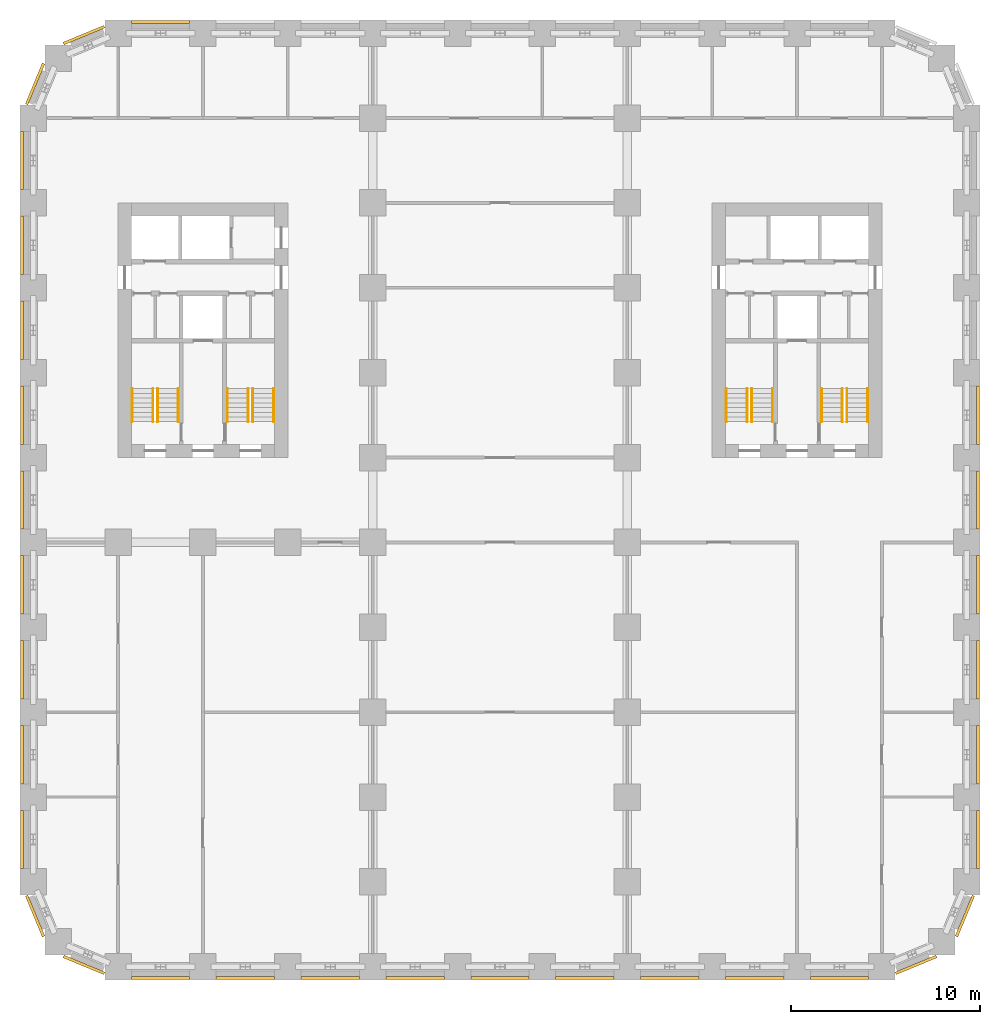
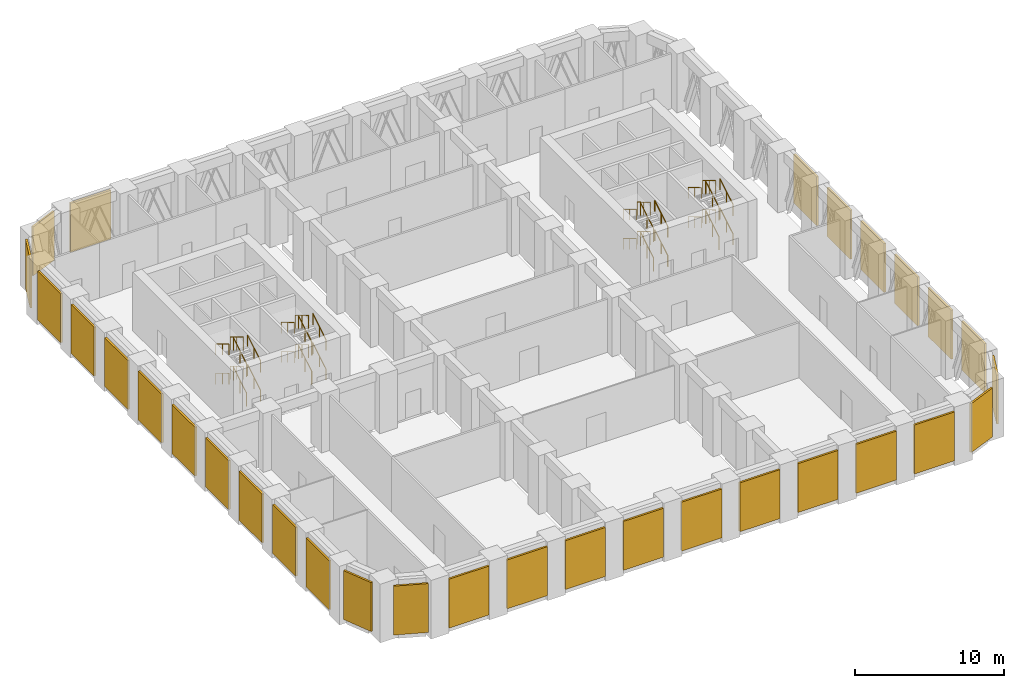
# One storey, part 8 of 9: 32 railings, 31 shading devices.
"""IFC4 building model written with IfcOpenShell, lengths in metres."""

from ifc_helpers import new_model, si_unit, direction, frame, origin, origin_2d, place, context, subcontext, project, spatial, rectangle, circle, extrude, material, type_object, element, save


model = new_model("IFC4")

# Units and contexts
model_context = context("Model", 3, precision=1e-05, world=origin(), true_north=direction((0.0, 1.0)))
body_context = subcontext(model_context, "Body", "Model", "MODEL_VIEW")
ifc_project = project(units=[si_unit("LENGTHUNIT", "METRE"), si_unit("AREAUNIT", "SQUARE_METRE"), si_unit("VOLUMEUNIT", "CUBIC_METRE"), si_unit("PLANEANGLEUNIT", "RADIAN"), si_unit("MASSUNIT", "GRAM", prefix="KILO")], contexts=[model_context])

# Site, building, storey
site_placement = place(None, origin())
site = spatial("IfcSite", under=ifc_project, at=site_placement, CompositionType="ELEMENT")
building_placement = place(site_placement, origin())
building = spatial("IfcBuilding", under=site, at=building_placement, Name="Girih Gate Residences", CompositionType="ELEMENT")
storey_placement = place(building_placement, frame((0.0, 0.0, 75.199951171875)))
storey = spatial("IfcBuildingStorey", under=building, at=storey_placement, Name="L20", CompositionType="ELEMENT", Elevation=75.199951171875)

# Shading devices
ifc_material_1 = material(Name="Aluminium louvre", Category="aluminium")
shading_device_type = type_object("IfcShadingDeviceType", Name="Plant louvre band", PredefinedType="USERDEFINED", material=ifc_material_1)
for number, where, z_axis, x_axis, name in (
    (1, (0.1005859375, 2.689453125, 0.400146484375), (0.0, 0.0, 1.0), (0.382683432365, -0.923879532511, 0.0), "Plant louvre SW0000_0045.0"),
    (2, (2.689208984375, 0.1005859375, 0.400146484375), (0.0, 0.0, 1.0), (0.923879532511, -0.382683432365, 0.0), "Plant louvre SW0013_0013.0"),
):
    element("IfcShadingDevice", number, at=place(storey_placement, frame(where, z_axis=z_axis, x_axis=x_axis)), inside=storey, type_object=shading_device_type, Name=name, ObjectType="LOUVRE", PredefinedType="USERDEFINED", context=body_context, shape_type="SweptSolid", body=[
        extrude(rectangle(XDim=2.34228515625, YDim=0.14990234375, at=origin_2d()), origin(), (0.0, 0.0, 1.0), 4.0),
    ])
for number, where, z_axis, x_axis, name in (
    (3, (6.75, -0.60009765625, 0.400146484375), (0.0, 0.0, 1.0), (1.0, 0.0, 0.0), "Plant louvre S0045_0000.0"),
    (4, (11.25, -0.60009765625, 0.400146484375), (0.0, 0.0, 1.0), (1.0, 0.0, 0.0), "Plant louvre S0045_0000.1"),
    (5, (15.75, -0.60009765625, 0.400146484375), (0.0, 0.0, 1.0), (1.0, 0.0, 0.0), "Plant louvre S0045_0000.2"),
    (6, (20.25, -0.60009765625, 0.400146484375), (0.0, 0.0, 1.0), (1.0, 0.0, 0.0), "Plant louvre S0045_0000.3"),
    (7, (24.75, -0.60009765625, 0.400146484375), (0.0, 0.0, 1.0), (1.0, 0.0, 0.0), "Plant louvre S0045_0000.4"),
    (8, (29.25, -0.60009765625, 0.400146484375), (0.0, 0.0, 1.0), (1.0, 0.0, 0.0), "Plant louvre S0045_0000.5"),
    (9, (33.75, -0.60009765625, 0.400146484375), (0.0, 0.0, 1.0), (1.0, 0.0, 0.0), "Plant louvre S0045_0000.6"),
    (10, (38.25, -0.60009765625, 0.400146484375), (0.0, 0.0, 1.0), (1.0, 0.0, 0.0), "Plant louvre S0045_0000.7"),
    (11, (42.75, -0.60009765625, 0.400146484375), (0.0, 0.0, 1.0), (1.0, 0.0, 0.0), "Plant louvre S0045_0000.8"),
):
    element("IfcShadingDevice", number, at=place(storey_placement, frame(where, z_axis=z_axis, x_axis=x_axis)), inside=storey, type_object=shading_device_type, Name=name, ObjectType="LOUVRE", PredefinedType="USERDEFINED", context=body_context, shape_type="SweptSolid", body=[
        extrude(rectangle(XDim=3.10009765625, YDim=0.14990234375, at=origin_2d()), origin(), (0.0, 0.0, 1.0), 4.0),
    ])
for number, where, z_axis, x_axis, name in (
    (12, (46.810546875, 0.1005859375, 0.400146484375), (0.0, 0.0, 1.0), (0.923879532511, 0.382683432365, 0.0), "Plant louvre SE0450_0000.0"),
    (13, (49.3994140625, 2.689208984375, 0.400146484375), (0.0, 0.0, 1.0), (0.382683432365, 0.923879532511, 0.0), "Plant louvre SE0482_0013.0"),
):
    element("IfcShadingDevice", number, at=place(storey_placement, frame(where, z_axis=z_axis, x_axis=x_axis)), inside=storey, type_object=shading_device_type, Name=name, ObjectType="LOUVRE", PredefinedType="USERDEFINED", context=body_context, shape_type="SweptSolid", body=[
        extrude(rectangle(XDim=2.34228515625, YDim=0.14990234375, at=origin_2d()), origin(), (0.0, 0.0, 1.0), 4.0),
    ])
for number, where, z_axis, x_axis, name in (
    (14, (50.10009765625, 6.75, 0.400146484375), (0.0, 0.0, 1.0), (0.0, 1.0, 0.0), "Plant louvre E0495_0045.0"),
    (15, (50.10009765625, 11.25, 0.400146484375), (0.0, 0.0, 1.0), (0.0, 1.0, 0.0), "Plant louvre E0495_0045.1"),
    (16, (50.10009765625, 15.75, 0.400146484375), (0.0, 0.0, 1.0), (0.0, 1.0, 0.0), "Plant louvre E0495_0045.2"),
    (17, (50.10009765625, 20.25, 0.400146484375), (0.0, 0.0, 1.0), (0.0, 1.0, 0.0), "Plant louvre E0495_0045.3"),
    (18, (50.10009765625, 24.75, 0.400146484375), (0.0, 0.0, 1.0), (0.0, 1.0, 0.0), "Plant louvre E0495_0045.4"),
    (19, (50.10009765625, 29.25, 0.400146484375), (0.0, 0.0, 1.0), (0.0, 1.0, 0.0), "Plant louvre E0495_0045.5"),
    (20, (6.75, 50.10009765625, 0.400146484375), (0.0, 0.0, 1.0), (-1.0, 0.0, 0.0), "Plant louvre N0450_0495.8"),
):
    element("IfcShadingDevice", number, at=place(storey_placement, frame(where, z_axis=z_axis, x_axis=x_axis)), inside=storey, type_object=shading_device_type, Name=name, ObjectType="LOUVRE", PredefinedType="USERDEFINED", context=body_context, shape_type="SweptSolid", body=[
        extrude(rectangle(XDim=3.10009765625, YDim=0.14990234375, at=origin_2d()), origin(), (0.0, 0.0, 1.0), 4.0),
    ])
for number, where, z_axis, x_axis, name in (
    (21, (2.689453125, 49.3994140625, 0.400146484375), (0.0, 0.0, 1.0), (-0.923879532511, -0.382683432365, 0.0), "Plant louvre NW0045_0495.0"),
    (22, (0.1005859375, 46.810791015625, 0.400146484375), (0.0, 0.0, 1.0), (-0.382683432365, -0.923879532511, 0.0), "Plant louvre NW0013_0482.0"),
):
    element("IfcShadingDevice", number, at=place(storey_placement, frame(where, z_axis=z_axis, x_axis=x_axis)), inside=storey, type_object=shading_device_type, Name=name, ObjectType="LOUVRE", PredefinedType="USERDEFINED", context=body_context, shape_type="SweptSolid", body=[
        extrude(rectangle(XDim=2.34228515625, YDim=0.14990234375, at=origin_2d()), origin(), (0.0, 0.0, 1.0), 4.0),
    ])
for number, where, z_axis, x_axis, name in (
    (23, (-0.60009765625, 42.75, 0.400146484375), (0.0, 0.0, 1.0), (0.0, -1.0, 0.0), "Plant louvre W0000_0450.0"),
    (24, (-0.60009765625, 38.25, 0.400146484375), (0.0, 0.0, 1.0), (0.0, -1.0, 0.0), "Plant louvre W0000_0450.1"),
    (25, (-0.60009765625, 33.75, 0.400146484375), (0.0, 0.0, 1.0), (0.0, -1.0, 0.0), "Plant louvre W0000_0450.2"),
    (26, (-0.60009765625, 29.25, 0.400146484375), (0.0, 0.0, 1.0), (0.0, -1.0, 0.0), "Plant louvre W0000_0450.3"),
    (27, (-0.60009765625, 24.75, 0.400146484375), (0.0, 0.0, 1.0), (0.0, -1.0, 0.0), "Plant louvre W0000_0450.4"),
    (28, (-0.60009765625, 20.25, 0.400146484375), (0.0, 0.0, 1.0), (0.0, -1.0, 0.0), "Plant louvre W0000_0450.5"),
    (29, (-0.60009765625, 15.75, 0.400146484375), (0.0, 0.0, 1.0), (0.0, -1.0, 0.0), "Plant louvre W0000_0450.6"),
    (30, (-0.60009765625, 11.25, 0.400146484375), (0.0, 0.0, 1.0), (0.0, -1.0, 0.0), "Plant louvre W0000_0450.7"),
    (31, (-0.60009765625, 6.75, 0.400146484375), (0.0, 0.0, 1.0), (0.0, -1.0, 0.0), "Plant louvre W0000_0450.8"),
):
    element("IfcShadingDevice", number, at=place(storey_placement, frame(where, z_axis=z_axis, x_axis=x_axis)), inside=storey, type_object=shading_device_type, Name=name, ObjectType="LOUVRE", PredefinedType="USERDEFINED", context=body_context, shape_type="SweptSolid", body=[
        extrude(rectangle(XDim=3.10009765625, YDim=0.14990234375, at=origin_2d()), origin(), (0.0, 0.0, 1.0), 4.0),
    ])

# Railings
ifc_material_2 = material(Name="Stainless steel", Category="steel")
railing_type_1 = type_object("IfcRailingType", Name="Stair guard 1100", PredefinedType="GUARDRAIL", material=ifc_material_2)
railing_1_placement = place(storey_placement, frame((6.60009765625, 28.89990234375, 0.150146484375)))
element("IfcRailing", 32, at=railing_1_placement, inside=storey, type_object=railing_type_1, Name="L20 ST-W1 stair guard 1", PredefinedType="GUARDRAIL", context=body_context, shape_type="SweptSolid", body=[
    extrude(circle(Radius=0.02392578125, at=origin_2d()), frame((0.0, 0.0, 1.076171875), z_axis=(0.0, 0.857535146522, 0.514425380866), x_axis=(-1.0, 0.0, 0.0)), (0.0, 0.0, 1.0), 2.040771484375),
    extrude(circle(Radius=0.02099609375, at=origin_2d()), origin(), (0.0, 0.0, 1.0), 1.052001953125),
    extrude(circle(Radius=0.02099609375, at=origin_2d()), frame((0.0, 0.875, 0.52490234375)), (0.0, 0.0, 1.0), 1.052001953125),
    extrude(circle(Radius=0.02099609375, at=origin_2d()), frame((0.0, 1.75, 1.0498046875)), (0.0, 0.0, 1.0), 1.052001953125),
])
railing_2_placement = place(storey_placement, frame((6.35009765625, 30.64990234375, 1.35009765625)))
element("IfcRailing", 33, at=railing_2_placement, inside=storey, type_object=railing_type_1, Name="L20 ST-W1 stair guard 2", PredefinedType="GUARDRAIL", context=body_context, shape_type="SweptSolid", body=[
    extrude(circle(Radius=0.02392578125, at=origin_2d()), frame((0.0, 0.0, 1.076171875), z_axis=(0.0, -0.857482370257, 0.514513347444), x_axis=(1.0, 0.0, 0.0)), (0.0, 0.0, 1.0), 2.040771484375),
    extrude(circle(Radius=0.02099609375, at=origin_2d()), origin(), (0.0, 0.0, 1.0), 1.052001953125),
    extrude(circle(Radius=0.02099609375, at=origin_2d()), frame((0.0, -0.875, 0.52490234375)), (0.0, 0.0, 1.0), 1.052001953125),
    extrude(circle(Radius=0.02099609375, at=origin_2d()), frame((0.0, -1.75, 1.050048828125)), (0.0, 0.0, 1.0), 1.052001953125),
])
railing_3_placement = place(storey_placement, frame((6.60009765625, 28.89990234375, 2.550048828125)))
element("IfcRailing", 34, at=railing_3_placement, inside=storey, type_object=railing_type_1, Name="L20 ST-W1 stair guard 3", PredefinedType="GUARDRAIL", context=body_context, shape_type="SweptSolid", body=[
    extrude(circle(Radius=0.02392578125, at=origin_2d()), frame((0.0, 0.0, 1.076171875), z_axis=(0.0, 0.857482370257, 0.514513347444), x_axis=(-1.0, 0.0, 0.0)), (0.0, 0.0, 1.0), 2.040771484375),
    extrude(circle(Radius=0.02099609375, at=origin_2d()), origin(), (0.0, 0.0, 1.0), 1.052001953125),
    extrude(circle(Radius=0.02099609375, at=origin_2d()), frame((0.0, 0.875, 0.52490234375)), (0.0, 0.0, 1.0), 1.052001953125),
    extrude(circle(Radius=0.02099609375, at=origin_2d()), frame((0.0, 1.75, 1.050048828125)), (0.0, 0.0, 1.0), 1.052001953125),
])
railing_4_placement = place(storey_placement, frame((6.35009765625, 30.64990234375, 3.75)))
element("IfcRailing", 35, at=railing_4_placement, inside=storey, type_object=railing_type_1, Name="L20 ST-W1 stair guard 4", PredefinedType="GUARDRAIL", context=body_context, shape_type="SweptSolid", body=[
    extrude(circle(Radius=0.02392578125, at=origin_2d()), frame((0.0, 0.0, 1.076171875), z_axis=(0.0, -0.857482370257, 0.514513347444), x_axis=(1.0, 0.0, 0.0)), (0.0, 0.0, 1.0), 2.040771484375),
    extrude(circle(Radius=0.02099609375, at=origin_2d()), origin(), (0.0, 0.0, 1.0), 1.052001953125),
    extrude(circle(Radius=0.02099609375, at=origin_2d()), frame((0.0, -0.875, 0.52490234375)), (0.0, 0.0, 1.0), 1.052001953125),
    extrude(circle(Radius=0.02099609375, at=origin_2d()), frame((0.0, -1.75, 1.050048828125)), (0.0, 0.0, 1.0), 1.052001953125),
])
railing_5_placement = place(storey_placement, frame((11.64990234375, 28.89990234375, 0.150146484375)))
element("IfcRailing", 36, at=railing_5_placement, inside=storey, type_object=railing_type_1, Name="L20 ST-W2 stair guard 1", PredefinedType="GUARDRAIL", context=body_context, shape_type="SweptSolid", body=[
    extrude(circle(Radius=0.02392578125, at=origin_2d()), frame((0.0, 0.0, 1.076171875), z_axis=(0.0, 0.857535146522, 0.514425380866), x_axis=(-1.0, 0.0, 0.0)), (0.0, 0.0, 1.0), 2.040771484375),
    extrude(circle(Radius=0.02099609375, at=origin_2d()), origin(), (0.0, 0.0, 1.0), 1.052001953125),
    extrude(circle(Radius=0.02099609375, at=origin_2d()), frame((0.0, 0.875, 0.52490234375)), (0.0, 0.0, 1.0), 1.052001953125),
    extrude(circle(Radius=0.02099609375, at=origin_2d()), frame((0.0, 1.75, 1.0498046875)), (0.0, 0.0, 1.0), 1.052001953125),
])
railing_6_placement = place(storey_placement, frame((11.39990234375, 30.64990234375, 1.35009765625)))
element("IfcRailing", 37, at=railing_6_placement, inside=storey, type_object=railing_type_1, Name="L20 ST-W2 stair guard 2", PredefinedType="GUARDRAIL", context=body_context, shape_type="SweptSolid", body=[
    extrude(circle(Radius=0.02392578125, at=origin_2d()), frame((0.0, 0.0, 1.076171875), z_axis=(0.0, -0.857482370257, 0.514513347444), x_axis=(1.0, 0.0, 0.0)), (0.0, 0.0, 1.0), 2.040771484375),
    extrude(circle(Radius=0.02099609375, at=origin_2d()), origin(), (0.0, 0.0, 1.0), 1.052001953125),
    extrude(circle(Radius=0.02099609375, at=origin_2d()), frame((0.0, -0.875, 0.52490234375)), (0.0, 0.0, 1.0), 1.052001953125),
    extrude(circle(Radius=0.02099609375, at=origin_2d()), frame((0.0, -1.75, 1.050048828125)), (0.0, 0.0, 1.0), 1.052001953125),
])
railing_7_placement = place(storey_placement, frame((11.64990234375, 28.89990234375, 2.550048828125)))
element("IfcRailing", 38, at=railing_7_placement, inside=storey, type_object=railing_type_1, Name="L20 ST-W2 stair guard 3", PredefinedType="GUARDRAIL", context=body_context, shape_type="SweptSolid", body=[
    extrude(circle(Radius=0.02392578125, at=origin_2d()), frame((0.0, 0.0, 1.076171875), z_axis=(0.0, 0.857482370257, 0.514513347444), x_axis=(-1.0, 0.0, 0.0)), (0.0, 0.0, 1.0), 2.040771484375),
    extrude(circle(Radius=0.02099609375, at=origin_2d()), origin(), (0.0, 0.0, 1.0), 1.052001953125),
    extrude(circle(Radius=0.02099609375, at=origin_2d()), frame((0.0, 0.875, 0.52490234375)), (0.0, 0.0, 1.0), 1.052001953125),
    extrude(circle(Radius=0.02099609375, at=origin_2d()), frame((0.0, 1.75, 1.050048828125)), (0.0, 0.0, 1.0), 1.052001953125),
])
railing_8_placement = place(storey_placement, frame((11.39990234375, 30.64990234375, 3.75)))
element("IfcRailing", 39, at=railing_8_placement, inside=storey, type_object=railing_type_1, Name="L20 ST-W2 stair guard 4", PredefinedType="GUARDRAIL", context=body_context, shape_type="SweptSolid", body=[
    extrude(circle(Radius=0.02392578125, at=origin_2d()), frame((0.0, 0.0, 1.076171875), z_axis=(0.0, -0.857482370257, 0.514513347444), x_axis=(1.0, 0.0, 0.0)), (0.0, 0.0, 1.0), 2.040771484375),
    extrude(circle(Radius=0.02099609375, at=origin_2d()), origin(), (0.0, 0.0, 1.0), 1.052001953125),
    extrude(circle(Radius=0.02099609375, at=origin_2d()), frame((0.0, -0.875, 0.52490234375)), (0.0, 0.0, 1.0), 1.052001953125),
    extrude(circle(Radius=0.02099609375, at=origin_2d()), frame((0.0, -1.75, 1.050048828125)), (0.0, 0.0, 1.0), 1.052001953125),
])
railing_9_placement = place(storey_placement, frame((43.14990234375, 28.89990234375, 0.150146484375)))
element("IfcRailing", 40, at=railing_9_placement, inside=storey, type_object=railing_type_1, Name="L20 ST-E1 stair guard 1", PredefinedType="GUARDRAIL", context=body_context, shape_type="SweptSolid", body=[
    extrude(circle(Radius=0.02392578125, at=origin_2d()), frame((0.0, 0.0, 1.076171875), z_axis=(0.0, 0.857535146522, 0.514425380866), x_axis=(-1.0, 0.0, 0.0)), (0.0, 0.0, 1.0), 2.040771484375),
    extrude(circle(Radius=0.02099609375, at=origin_2d()), origin(), (0.0, 0.0, 1.0), 1.052001953125),
    extrude(circle(Radius=0.02099609375, at=origin_2d()), frame((0.0, 0.875, 0.52490234375)), (0.0, 0.0, 1.0), 1.052001953125),
    extrude(circle(Radius=0.02099609375, at=origin_2d()), frame((0.0, 1.75, 1.0498046875)), (0.0, 0.0, 1.0), 1.052001953125),
])
railing_10_placement = place(storey_placement, frame((42.89990234375, 30.64990234375, 1.35009765625)))
element("IfcRailing", 41, at=railing_10_placement, inside=storey, type_object=railing_type_1, Name="L20 ST-E1 stair guard 2", PredefinedType="GUARDRAIL", context=body_context, shape_type="SweptSolid", body=[
    extrude(circle(Radius=0.02392578125, at=origin_2d()), frame((0.0, 0.0, 1.076171875), z_axis=(0.0, -0.857482370257, 0.514513347444), x_axis=(1.0, 0.0, 0.0)), (0.0, 0.0, 1.0), 2.040771484375),
    extrude(circle(Radius=0.02099609375, at=origin_2d()), origin(), (0.0, 0.0, 1.0), 1.052001953125),
    extrude(circle(Radius=0.02099609375, at=origin_2d()), frame((0.0, -0.875, 0.52490234375)), (0.0, 0.0, 1.0), 1.052001953125),
    extrude(circle(Radius=0.02099609375, at=origin_2d()), frame((0.0, -1.75, 1.050048828125)), (0.0, 0.0, 1.0), 1.052001953125),
])
railing_11_placement = place(storey_placement, frame((43.14990234375, 28.89990234375, 2.550048828125)))
element("IfcRailing", 42, at=railing_11_placement, inside=storey, type_object=railing_type_1, Name="L20 ST-E1 stair guard 3", PredefinedType="GUARDRAIL", context=body_context, shape_type="SweptSolid", body=[
    extrude(circle(Radius=0.02392578125, at=origin_2d()), frame((0.0, 0.0, 1.076171875), z_axis=(0.0, 0.857482370257, 0.514513347444), x_axis=(-1.0, 0.0, 0.0)), (0.0, 0.0, 1.0), 2.040771484375),
    extrude(circle(Radius=0.02099609375, at=origin_2d()), origin(), (0.0, 0.0, 1.0), 1.052001953125),
    extrude(circle(Radius=0.02099609375, at=origin_2d()), frame((0.0, 0.875, 0.52490234375)), (0.0, 0.0, 1.0), 1.052001953125),
    extrude(circle(Radius=0.02099609375, at=origin_2d()), frame((0.0, 1.75, 1.050048828125)), (0.0, 0.0, 1.0), 1.052001953125),
])
railing_12_placement = place(storey_placement, frame((42.89990234375, 30.64990234375, 3.75)))
element("IfcRailing", 43, at=railing_12_placement, inside=storey, type_object=railing_type_1, Name="L20 ST-E1 stair guard 4", PredefinedType="GUARDRAIL", context=body_context, shape_type="SweptSolid", body=[
    extrude(circle(Radius=0.02392578125, at=origin_2d()), frame((0.0, 0.0, 1.076171875), z_axis=(0.0, -0.857482370257, 0.514513347444), x_axis=(1.0, 0.0, 0.0)), (0.0, 0.0, 1.0), 2.040771484375),
    extrude(circle(Radius=0.02099609375, at=origin_2d()), origin(), (0.0, 0.0, 1.0), 1.052001953125),
    extrude(circle(Radius=0.02099609375, at=origin_2d()), frame((0.0, -0.875, 0.52490234375)), (0.0, 0.0, 1.0), 1.052001953125),
    extrude(circle(Radius=0.02099609375, at=origin_2d()), frame((0.0, -1.75, 1.050048828125)), (0.0, 0.0, 1.0), 1.052001953125),
])
railing_13_placement = place(storey_placement, frame((38.10009765625, 28.89990234375, 0.150146484375)))
element("IfcRailing", 44, at=railing_13_placement, inside=storey, type_object=railing_type_1, Name="L20 ST-E2 stair guard 1", PredefinedType="GUARDRAIL", context=body_context, shape_type="SweptSolid", body=[
    extrude(circle(Radius=0.02392578125, at=origin_2d()), frame((0.0, 0.0, 1.076171875), z_axis=(0.0, 0.857535146522, 0.514425380866), x_axis=(-1.0, 0.0, 0.0)), (0.0, 0.0, 1.0), 2.040771484375),
    extrude(circle(Radius=0.02099609375, at=origin_2d()), origin(), (0.0, 0.0, 1.0), 1.052001953125),
    extrude(circle(Radius=0.02099609375, at=origin_2d()), frame((0.0, 0.875, 0.52490234375)), (0.0, 0.0, 1.0), 1.052001953125),
    extrude(circle(Radius=0.02099609375, at=origin_2d()), frame((0.0, 1.75, 1.0498046875)), (0.0, 0.0, 1.0), 1.052001953125),
])
railing_14_placement = place(storey_placement, frame((37.85009765625, 30.64990234375, 1.35009765625)))
element("IfcRailing", 45, at=railing_14_placement, inside=storey, type_object=railing_type_1, Name="L20 ST-E2 stair guard 2", PredefinedType="GUARDRAIL", context=body_context, shape_type="SweptSolid", body=[
    extrude(circle(Radius=0.02392578125, at=origin_2d()), frame((0.0, 0.0, 1.076171875), z_axis=(0.0, -0.857482370257, 0.514513347444), x_axis=(1.0, 0.0, 0.0)), (0.0, 0.0, 1.0), 2.040771484375),
    extrude(circle(Radius=0.02099609375, at=origin_2d()), origin(), (0.0, 0.0, 1.0), 1.052001953125),
    extrude(circle(Radius=0.02099609375, at=origin_2d()), frame((0.0, -0.875, 0.52490234375)), (0.0, 0.0, 1.0), 1.052001953125),
    extrude(circle(Radius=0.02099609375, at=origin_2d()), frame((0.0, -1.75, 1.050048828125)), (0.0, 0.0, 1.0), 1.052001953125),
])
railing_15_placement = place(storey_placement, frame((38.10009765625, 28.89990234375, 2.550048828125)))
element("IfcRailing", 46, at=railing_15_placement, inside=storey, type_object=railing_type_1, Name="L20 ST-E2 stair guard 3", PredefinedType="GUARDRAIL", context=body_context, shape_type="SweptSolid", body=[
    extrude(circle(Radius=0.02392578125, at=origin_2d()), frame((0.0, 0.0, 1.076171875), z_axis=(0.0, 0.857482370257, 0.514513347444), x_axis=(-1.0, 0.0, 0.0)), (0.0, 0.0, 1.0), 2.040771484375),
    extrude(circle(Radius=0.02099609375, at=origin_2d()), origin(), (0.0, 0.0, 1.0), 1.052001953125),
    extrude(circle(Radius=0.02099609375, at=origin_2d()), frame((0.0, 0.875, 0.52490234375)), (0.0, 0.0, 1.0), 1.052001953125),
    extrude(circle(Radius=0.02099609375, at=origin_2d()), frame((0.0, 1.75, 1.050048828125)), (0.0, 0.0, 1.0), 1.052001953125),
])
railing_16_placement = place(storey_placement, frame((37.85009765625, 30.64990234375, 3.75)))
element("IfcRailing", 47, at=railing_16_placement, inside=storey, type_object=railing_type_1, Name="L20 ST-E2 stair guard 4", PredefinedType="GUARDRAIL", context=body_context, shape_type="SweptSolid", body=[
    extrude(circle(Radius=0.02392578125, at=origin_2d()), frame((0.0, 0.0, 1.076171875), z_axis=(0.0, -0.857482370257, 0.514513347444), x_axis=(1.0, 0.0, 0.0)), (0.0, 0.0, 1.0), 2.040771484375),
    extrude(circle(Radius=0.02099609375, at=origin_2d()), origin(), (0.0, 0.0, 1.0), 1.052001953125),
    extrude(circle(Radius=0.02099609375, at=origin_2d()), frame((0.0, -0.875, 0.52490234375)), (0.0, 0.0, 1.0), 1.052001953125),
    extrude(circle(Radius=0.02099609375, at=origin_2d()), frame((0.0, -1.75, 1.050048828125)), (0.0, 0.0, 1.0), 1.052001953125),
])
railing_type_2 = type_object("IfcRailingType", Name="Stair handrail 900", PredefinedType="HANDRAIL", material=ifc_material_2)
railing_17_placement = place(storey_placement, frame((7.699951171875, 28.89990234375, 0.150146484375)))
element("IfcRailing", 48, at=railing_17_placement, inside=storey, type_object=railing_type_2, Name="L20 ST-W1 stair handrail 1", PredefinedType="HANDRAIL", context=body_context, shape_type="SweptSolid", body=[
    extrude(circle(Radius=0.02392578125, at=origin_2d()), frame((0.0, 0.0, 0.8857421875), z_axis=(0.0, 0.857535146522, 0.514425380866), x_axis=(-1.0, 0.0, 0.0)), (0.0, 0.0, 1.0), 2.040771484375),
    extrude(circle(Radius=0.02099609375, at=origin_2d()), origin(), (0.0, 0.0, 1.0), 0.86181640625),
    extrude(circle(Radius=0.02099609375, at=origin_2d()), frame((0.0, 0.875, 0.52490234375)), (0.0, 0.0, 1.0), 0.86181640625),
    extrude(circle(Radius=0.02099609375, at=origin_2d()), frame((0.0, 1.75, 1.0498046875)), (0.0, 0.0, 1.0), 0.86181640625),
])
railing_18_placement = place(storey_placement, frame((5.25, 30.64990234375, 1.35009765625)))
element("IfcRailing", 49, at=railing_18_placement, inside=storey, type_object=railing_type_2, Name="L20 ST-W1 stair handrail 2", PredefinedType="HANDRAIL", context=body_context, shape_type="SweptSolid", body=[
    extrude(circle(Radius=0.02392578125, at=origin_2d()), frame((0.0, 0.0, 0.8857421875), z_axis=(0.0, -0.857482370257, 0.514513347444), x_axis=(1.0, 0.0, 0.0)), (0.0, 0.0, 1.0), 2.040771484375),
    extrude(circle(Radius=0.02099609375, at=origin_2d()), origin(), (0.0, 0.0, 1.0), 0.86181640625),
    extrude(circle(Radius=0.02099609375, at=origin_2d()), frame((0.0, -0.875, 0.52490234375)), (0.0, 0.0, 1.0), 0.86181640625),
    extrude(circle(Radius=0.02099609375, at=origin_2d()), frame((0.0, -1.75, 1.050048828125)), (0.0, 0.0, 1.0), 0.86181640625),
])
railing_19_placement = place(storey_placement, frame((7.699951171875, 28.89990234375, 2.550048828125)))
element("IfcRailing", 50, at=railing_19_placement, inside=storey, type_object=railing_type_2, Name="L20 ST-W1 stair handrail 3", PredefinedType="HANDRAIL", context=body_context, shape_type="SweptSolid", body=[
    extrude(circle(Radius=0.02392578125, at=origin_2d()), frame((0.0, 0.0, 0.8857421875), z_axis=(0.0, 0.857482370257, 0.514513347444), x_axis=(-1.0, 0.0, 0.0)), (0.0, 0.0, 1.0), 2.040771484375),
    extrude(circle(Radius=0.02099609375, at=origin_2d()), origin(), (0.0, 0.0, 1.0), 0.86181640625),
    extrude(circle(Radius=0.02099609375, at=origin_2d()), frame((0.0, 0.875, 0.52490234375)), (0.0, 0.0, 1.0), 0.86181640625),
    extrude(circle(Radius=0.02099609375, at=origin_2d()), frame((0.0, 1.75, 1.050048828125)), (0.0, 0.0, 1.0), 0.86181640625),
])
railing_20_placement = place(storey_placement, frame((5.25, 30.64990234375, 3.75)))
element("IfcRailing", 51, at=railing_20_placement, inside=storey, type_object=railing_type_2, Name="L20 ST-W1 stair handrail 4", PredefinedType="HANDRAIL", context=body_context, shape_type="SweptSolid", body=[
    extrude(circle(Radius=0.02392578125, at=origin_2d()), frame((0.0, 0.0, 0.8857421875), z_axis=(0.0, -0.857482370257, 0.514513347444), x_axis=(1.0, 0.0, 0.0)), (0.0, 0.0, 1.0), 2.040771484375),
    extrude(circle(Radius=0.02099609375, at=origin_2d()), origin(), (0.0, 0.0, 1.0), 0.86181640625),
    extrude(circle(Radius=0.02099609375, at=origin_2d()), frame((0.0, -0.875, 0.52490234375)), (0.0, 0.0, 1.0), 0.86181640625),
    extrude(circle(Radius=0.02099609375, at=origin_2d()), frame((0.0, -1.75, 1.050048828125)), (0.0, 0.0, 1.0), 0.86181640625),
])
railing_21_placement = place(storey_placement, frame((12.75, 28.89990234375, 0.150146484375)))
element("IfcRailing", 52, at=railing_21_placement, inside=storey, type_object=railing_type_2, Name="L20 ST-W2 stair handrail 1", PredefinedType="HANDRAIL", context=body_context, shape_type="SweptSolid", body=[
    extrude(circle(Radius=0.02392578125, at=origin_2d()), frame((0.0, 0.0, 0.8857421875), z_axis=(0.0, 0.857535146522, 0.514425380866), x_axis=(-1.0, 0.0, 0.0)), (0.0, 0.0, 1.0), 2.040771484375),
    extrude(circle(Radius=0.02099609375, at=origin_2d()), origin(), (0.0, 0.0, 1.0), 0.86181640625),
    extrude(circle(Radius=0.02099609375, at=origin_2d()), frame((0.0, 0.875, 0.52490234375)), (0.0, 0.0, 1.0), 0.86181640625),
    extrude(circle(Radius=0.02099609375, at=origin_2d()), frame((0.0, 1.75, 1.0498046875)), (0.0, 0.0, 1.0), 0.86181640625),
])
railing_22_placement = place(storey_placement, frame((10.300048828125, 30.64990234375, 1.35009765625)))
element("IfcRailing", 53, at=railing_22_placement, inside=storey, type_object=railing_type_2, Name="L20 ST-W2 stair handrail 2", PredefinedType="HANDRAIL", context=body_context, shape_type="SweptSolid", body=[
    extrude(circle(Radius=0.02392578125, at=origin_2d()), frame((0.0, 0.0, 0.8857421875), z_axis=(0.0, -0.857482370257, 0.514513347444), x_axis=(1.0, 0.0, 0.0)), (0.0, 0.0, 1.0), 2.040771484375),
    extrude(circle(Radius=0.02099609375, at=origin_2d()), origin(), (0.0, 0.0, 1.0), 0.86181640625),
    extrude(circle(Radius=0.02099609375, at=origin_2d()), frame((0.0, -0.875, 0.52490234375)), (0.0, 0.0, 1.0), 0.86181640625),
    extrude(circle(Radius=0.02099609375, at=origin_2d()), frame((0.0, -1.75, 1.050048828125)), (0.0, 0.0, 1.0), 0.86181640625),
])
railing_23_placement = place(storey_placement, frame((12.75, 28.89990234375, 2.550048828125)))
element("IfcRailing", 54, at=railing_23_placement, inside=storey, type_object=railing_type_2, Name="L20 ST-W2 stair handrail 3", PredefinedType="HANDRAIL", context=body_context, shape_type="SweptSolid", body=[
    extrude(circle(Radius=0.02392578125, at=origin_2d()), frame((0.0, 0.0, 0.8857421875), z_axis=(0.0, 0.857482370257, 0.514513347444), x_axis=(-1.0, 0.0, 0.0)), (0.0, 0.0, 1.0), 2.040771484375),
    extrude(circle(Radius=0.02099609375, at=origin_2d()), origin(), (0.0, 0.0, 1.0), 0.86181640625),
    extrude(circle(Radius=0.02099609375, at=origin_2d()), frame((0.0, 0.875, 0.52490234375)), (0.0, 0.0, 1.0), 0.86181640625),
    extrude(circle(Radius=0.02099609375, at=origin_2d()), frame((0.0, 1.75, 1.050048828125)), (0.0, 0.0, 1.0), 0.86181640625),
])
railing_24_placement = place(storey_placement, frame((10.300048828125, 30.64990234375, 3.75)))
element("IfcRailing", 55, at=railing_24_placement, inside=storey, type_object=railing_type_2, Name="L20 ST-W2 stair handrail 4", PredefinedType="HANDRAIL", context=body_context, shape_type="SweptSolid", body=[
    extrude(circle(Radius=0.02392578125, at=origin_2d()), frame((0.0, 0.0, 0.8857421875), z_axis=(0.0, -0.857482370257, 0.514513347444), x_axis=(1.0, 0.0, 0.0)), (0.0, 0.0, 1.0), 2.040771484375),
    extrude(circle(Radius=0.02099609375, at=origin_2d()), origin(), (0.0, 0.0, 1.0), 0.86181640625),
    extrude(circle(Radius=0.02099609375, at=origin_2d()), frame((0.0, -0.875, 0.52490234375)), (0.0, 0.0, 1.0), 0.86181640625),
    extrude(circle(Radius=0.02099609375, at=origin_2d()), frame((0.0, -1.75, 1.050048828125)), (0.0, 0.0, 1.0), 0.86181640625),
])
railing_25_placement = place(storey_placement, frame((44.25, 28.89990234375, 0.150146484375)))
element("IfcRailing", 56, at=railing_25_placement, inside=storey, type_object=railing_type_2, Name="L20 ST-E1 stair handrail 1", PredefinedType="HANDRAIL", context=body_context, shape_type="SweptSolid", body=[
    extrude(circle(Radius=0.02392578125, at=origin_2d()), frame((0.0, 0.0, 0.8857421875), z_axis=(0.0, 0.857535146522, 0.514425380866), x_axis=(-1.0, 0.0, 0.0)), (0.0, 0.0, 1.0), 2.040771484375),
    extrude(circle(Radius=0.02099609375, at=origin_2d()), origin(), (0.0, 0.0, 1.0), 0.86181640625),
    extrude(circle(Radius=0.02099609375, at=origin_2d()), frame((0.0, 0.875, 0.52490234375)), (0.0, 0.0, 1.0), 0.86181640625),
    extrude(circle(Radius=0.02099609375, at=origin_2d()), frame((0.0, 1.75, 1.0498046875)), (0.0, 0.0, 1.0), 0.86181640625),
])
railing_26_placement = place(storey_placement, frame((41.800048828125, 30.64990234375, 1.35009765625)))
element("IfcRailing", 57, at=railing_26_placement, inside=storey, type_object=railing_type_2, Name="L20 ST-E1 stair handrail 2", PredefinedType="HANDRAIL", context=body_context, shape_type="SweptSolid", body=[
    extrude(circle(Radius=0.02392578125, at=origin_2d()), frame((0.0, 0.0, 0.8857421875), z_axis=(0.0, -0.857482370257, 0.514513347444), x_axis=(1.0, 0.0, 0.0)), (0.0, 0.0, 1.0), 2.040771484375),
    extrude(circle(Radius=0.02099609375, at=origin_2d()), origin(), (0.0, 0.0, 1.0), 0.86181640625),
    extrude(circle(Radius=0.02099609375, at=origin_2d()), frame((0.0, -0.875, 0.52490234375)), (0.0, 0.0, 1.0), 0.86181640625),
    extrude(circle(Radius=0.02099609375, at=origin_2d()), frame((0.0, -1.75, 1.050048828125)), (0.0, 0.0, 1.0), 0.86181640625),
])
railing_27_placement = place(storey_placement, frame((44.25, 28.89990234375, 2.550048828125)))
element("IfcRailing", 58, at=railing_27_placement, inside=storey, type_object=railing_type_2, Name="L20 ST-E1 stair handrail 3", PredefinedType="HANDRAIL", context=body_context, shape_type="SweptSolid", body=[
    extrude(circle(Radius=0.02392578125, at=origin_2d()), frame((0.0, 0.0, 0.8857421875), z_axis=(0.0, 0.857482370257, 0.514513347444), x_axis=(-1.0, 0.0, 0.0)), (0.0, 0.0, 1.0), 2.040771484375),
    extrude(circle(Radius=0.02099609375, at=origin_2d()), origin(), (0.0, 0.0, 1.0), 0.86181640625),
    extrude(circle(Radius=0.02099609375, at=origin_2d()), frame((0.0, 0.875, 0.52490234375)), (0.0, 0.0, 1.0), 0.86181640625),
    extrude(circle(Radius=0.02099609375, at=origin_2d()), frame((0.0, 1.75, 1.050048828125)), (0.0, 0.0, 1.0), 0.86181640625),
])
railing_28_placement = place(storey_placement, frame((41.800048828125, 30.64990234375, 3.75)))
element("IfcRailing", 59, at=railing_28_placement, inside=storey, type_object=railing_type_2, Name="L20 ST-E1 stair handrail 4", PredefinedType="HANDRAIL", context=body_context, shape_type="SweptSolid", body=[
    extrude(circle(Radius=0.02392578125, at=origin_2d()), frame((0.0, 0.0, 0.8857421875), z_axis=(0.0, -0.857482370257, 0.514513347444), x_axis=(1.0, 0.0, 0.0)), (0.0, 0.0, 1.0), 2.040771484375),
    extrude(circle(Radius=0.02099609375, at=origin_2d()), origin(), (0.0, 0.0, 1.0), 0.86181640625),
    extrude(circle(Radius=0.02099609375, at=origin_2d()), frame((0.0, -0.875, 0.52490234375)), (0.0, 0.0, 1.0), 0.86181640625),
    extrude(circle(Radius=0.02099609375, at=origin_2d()), frame((0.0, -1.75, 1.050048828125)), (0.0, 0.0, 1.0), 0.86181640625),
])
railing_29_placement = place(storey_placement, frame((39.199951171875, 28.89990234375, 0.150146484375)))
element("IfcRailing", 60, at=railing_29_placement, inside=storey, type_object=railing_type_2, Name="L20 ST-E2 stair handrail 1", PredefinedType="HANDRAIL", context=body_context, shape_type="SweptSolid", body=[
    extrude(circle(Radius=0.02392578125, at=origin_2d()), frame((0.0, 0.0, 0.8857421875), z_axis=(0.0, 0.857535146522, 0.514425380866), x_axis=(-1.0, 0.0, 0.0)), (0.0, 0.0, 1.0), 2.040771484375),
    extrude(circle(Radius=0.02099609375, at=origin_2d()), origin(), (0.0, 0.0, 1.0), 0.86181640625),
    extrude(circle(Radius=0.02099609375, at=origin_2d()), frame((0.0, 0.875, 0.52490234375)), (0.0, 0.0, 1.0), 0.86181640625),
    extrude(circle(Radius=0.02099609375, at=origin_2d()), frame((0.0, 1.75, 1.0498046875)), (0.0, 0.0, 1.0), 0.86181640625),
])
railing_30_placement = place(storey_placement, frame((36.75, 30.64990234375, 1.35009765625)))
element("IfcRailing", 61, at=railing_30_placement, inside=storey, type_object=railing_type_2, Name="L20 ST-E2 stair handrail 2", PredefinedType="HANDRAIL", context=body_context, shape_type="SweptSolid", body=[
    extrude(circle(Radius=0.02392578125, at=origin_2d()), frame((0.0, 0.0, 0.8857421875), z_axis=(0.0, -0.857482370257, 0.514513347444), x_axis=(1.0, 0.0, 0.0)), (0.0, 0.0, 1.0), 2.040771484375),
    extrude(circle(Radius=0.02099609375, at=origin_2d()), origin(), (0.0, 0.0, 1.0), 0.86181640625),
    extrude(circle(Radius=0.02099609375, at=origin_2d()), frame((0.0, -0.875, 0.52490234375)), (0.0, 0.0, 1.0), 0.86181640625),
    extrude(circle(Radius=0.02099609375, at=origin_2d()), frame((0.0, -1.75, 1.050048828125)), (0.0, 0.0, 1.0), 0.86181640625),
])
railing_31_placement = place(storey_placement, frame((39.199951171875, 28.89990234375, 2.550048828125)))
element("IfcRailing", 62, at=railing_31_placement, inside=storey, type_object=railing_type_2, Name="L20 ST-E2 stair handrail 3", PredefinedType="HANDRAIL", context=body_context, shape_type="SweptSolid", body=[
    extrude(circle(Radius=0.02392578125, at=origin_2d()), frame((0.0, 0.0, 0.8857421875), z_axis=(0.0, 0.857482370257, 0.514513347444), x_axis=(-1.0, 0.0, 0.0)), (0.0, 0.0, 1.0), 2.040771484375),
    extrude(circle(Radius=0.02099609375, at=origin_2d()), origin(), (0.0, 0.0, 1.0), 0.86181640625),
    extrude(circle(Radius=0.02099609375, at=origin_2d()), frame((0.0, 0.875, 0.52490234375)), (0.0, 0.0, 1.0), 0.86181640625),
    extrude(circle(Radius=0.02099609375, at=origin_2d()), frame((0.0, 1.75, 1.050048828125)), (0.0, 0.0, 1.0), 0.86181640625),
])
railing_32_placement = place(storey_placement, frame((36.75, 30.64990234375, 3.75)))
element("IfcRailing", 63, at=railing_32_placement, inside=storey, type_object=railing_type_2, Name="L20 ST-E2 stair handrail 4", PredefinedType="HANDRAIL", context=body_context, shape_type="SweptSolid", body=[
    extrude(circle(Radius=0.02392578125, at=origin_2d()), frame((0.0, 0.0, 0.8857421875), z_axis=(0.0, -0.857482370257, 0.514513347444), x_axis=(1.0, 0.0, 0.0)), (0.0, 0.0, 1.0), 2.040771484375),
    extrude(circle(Radius=0.02099609375, at=origin_2d()), origin(), (0.0, 0.0, 1.0), 0.86181640625),
    extrude(circle(Radius=0.02099609375, at=origin_2d()), frame((0.0, -0.875, 0.52490234375)), (0.0, 0.0, 1.0), 0.86181640625),
    extrude(circle(Radius=0.02099609375, at=origin_2d()), frame((0.0, -1.75, 1.050048828125)), (0.0, 0.0, 1.0), 0.86181640625),
])

save(model, "model.ifc")
